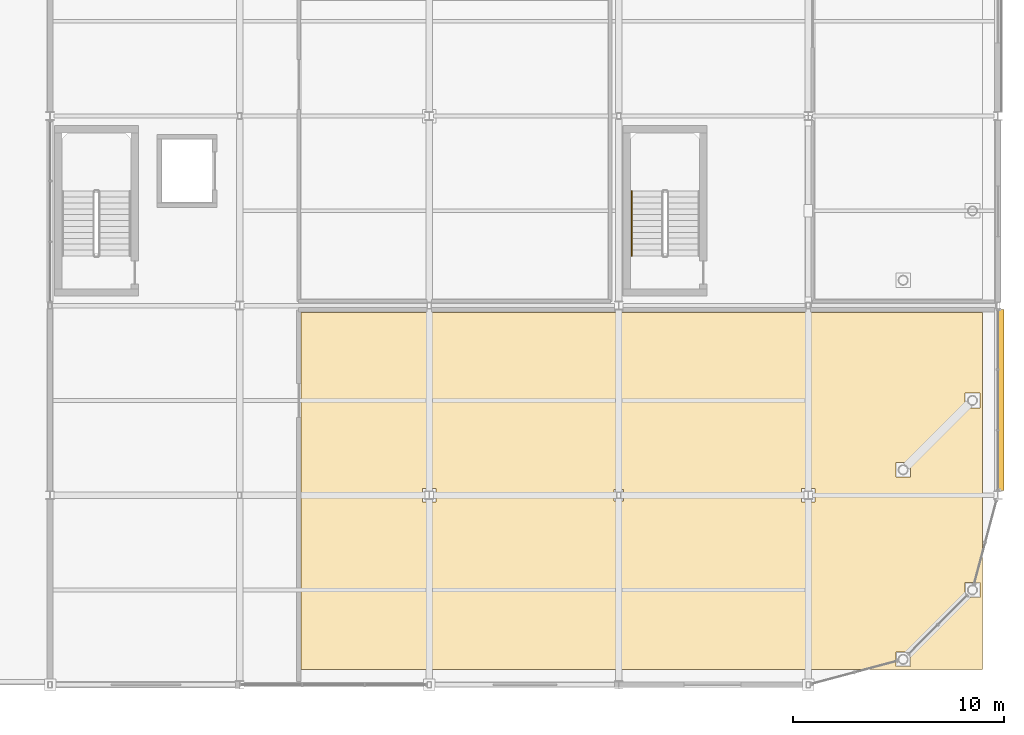
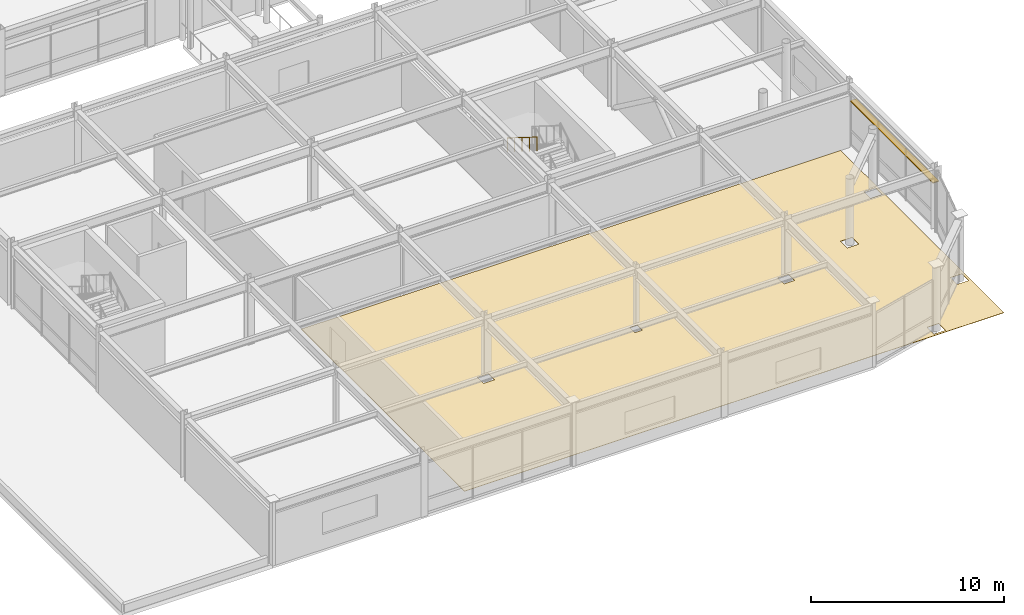
# One storey, part 100 of 105: 1 covering, 1 railing, 1 shading device.
"""IFC4 building model written with IfcOpenShell, lengths in metres."""

from ifc_helpers import new_model, si_unit, direction, frame, origin, origin_2d, place, context, subcontext, project, spatial, polyline, rectangle, circle, outline, extrude, material, layer, layer_set, material_profile, profile_set, type_object, element, save


model = new_model("IFC4")

# Units and contexts
model_context = context("Model", 3, precision=1e-05, world=origin(), true_north=direction((0.0, 1.0)))
body_context = subcontext(model_context, "Body", "Model", "MODEL_VIEW")
ifc_project = project(units=[si_unit("LENGTHUNIT", "METRE"), si_unit("AREAUNIT", "SQUARE_METRE"), si_unit("VOLUMEUNIT", "CUBIC_METRE"), si_unit("PLANEANGLEUNIT", "RADIAN"), si_unit("MASSUNIT", "GRAM", prefix="KILO")], contexts=[model_context])

# Site, building, storey
site_placement = place(None, origin())
site = spatial("IfcSite", under=ifc_project, at=site_placement, CompositionType="ELEMENT")
building_placement = place(site_placement, origin())
building = spatial("IfcBuilding", under=site, at=building_placement, Name="Suzunagisa Mobility Hub", CompositionType="ELEMENT")
storey_placement = place(building_placement, frame((0.0, 0.0, 5.10009765625)))
storey = spatial("IfcBuildingStorey", under=building, at=storey_placement, Name="L01", CompositionType="ELEMENT", Elevation=5.10009765625)

# Covering
ifc_material_1 = material(Name="Polished Aggregate Terrazzo Finish")
ifc_layer = layer(ifc_material_1, 0.02001953125)
ifc_layer_set = layer_set([ifc_layer], Name="Polished Aggregate Terrazzo Finish")
covering_type = type_object("IfcCoveringType", Name="Polished Terrazzo Heavy-Traffic Flooring FLR-01", PredefinedType="FLOORING", material=ifc_layer_set)
covering_placement = place(storey_placement, origin())
element("IfcCovering", 1, at=covering_placement, inside=storey, type_object=covering_type, Name="L01 South Prow Battery Module Quarantine Store Terrazzo Flooring", PredefinedType="FLOORING", context=body_context, shape_type="SweptSolid", body=[
    extrude(outline(polyline([(179.280029296875, 0.719970703125), (146.919921875, 0.719970703125), (146.919921875, 17.679931640625), (161.679931640625, 17.679931640625), (162.320068359375, 17.679931640625), (179.280029296875, 17.679931640625), (179.280029296875, 0.719970703125)]), holes=[polyline([(153.320068359375, 9.320068359375), (152.679931640625, 9.320068359375), (152.679931640625, 8.679931640625), (153.320068359375, 8.679931640625), (153.320068359375, 9.320068359375)]), polyline([(161.780029296875, 8.72998046875), (162.219970703125, 8.72998046875), (162.219970703125, 9.27001953125), (161.780029296875, 9.27001953125), (161.780029296875, 8.72998046875)]), polyline([(171.320068359375, 9.320068359375), (170.679931640625, 9.320068359375), (170.679931640625, 8.679931640625), (171.320068359375, 8.679931640625), (171.320068359375, 9.320068359375)]), polyline([(175.1513671875, 0.857177734375), (175.8486328125, 0.857177734375), (175.8486328125, 1.554443359375), (175.1513671875, 1.554443359375), (175.1513671875, 0.857177734375)]), polyline([(175.1513671875, 10.554443359375), (175.1513671875, 9.857177734375), (175.8486328125, 9.857177734375), (175.8486328125, 10.554443359375), (175.1513671875, 10.554443359375)]), polyline([(179.142822265625, 4.8486328125), (178.445556640625, 4.8486328125), (178.445556640625, 4.1513671875), (179.142822265625, 4.1513671875), (179.142822265625, 4.8486328125)]), polyline([(179.142822265625, 13.1513671875), (179.142822265625, 13.8486328125), (178.445556640625, 13.8486328125), (178.445556640625, 13.1513671875), (179.142822265625, 13.1513671875)])]), origin(), (0.0, 0.0, 1.0), 0.02001953125),
])

# Shading device
ifc_material_2 = material(Name="Fluoropolymer-Coated Extruded Aluminum 6063-T5", Category="aluminium")
ifc_material_profile = material_profile(ifc_material_2, rectangle(XDim=0.360107421875, YDim=0.050048828125, at=origin_2d()), Name="FIN-360x50")
ifc_profile_set = profile_set([ifc_material_profile], Name="Fluoropolymer-Coated Extruded Aluminum 6063-T5")
shading_device_type = type_object("IfcShadingDeviceType", Name="Streamline Aluminum Sunshade SF-04 FIN-360x50", PredefinedType="USERDEFINED", material=ifc_profile_set)
shading_device_placement = place(storey_placement, frame((180.110107421875, 9.22998046875, 2.83984375), z_axis=(0.0, 1.0, 0.0), x_axis=(-1.0, 0.0, 0.0)))
element("IfcShadingDevice", 2, at=shading_device_placement, inside=storey, type_object=shading_device_type, Name="L01 Streamline Speed-Rail Sunshade Fin SF-32", ObjectType="SUNSHADE FIN", PredefinedType="USERDEFINED", context=body_context, shape_type="SweptSolid", body=[
    extrude(rectangle(XDim=0.360107421875, YDim=0.050048828125, at=origin_2d()), origin(), (0.0, 0.0, 1.0), 8.590087890625),
])

# Railing
ifc_material_3 = material(Name="Stainless Steel SUS304", Category="metal")
railing_type = type_object("IfcRailingType", Name="Tubular Stainless Stair Handrail IHR-01", PredefinedType="HANDRAIL", material=ifc_material_3)
railing_placement = place(storey_placement, frame((162.610107421875, 23.43994140625, 2.27490234375)))
element("IfcRailing", 3, at=railing_placement, inside=storey, type_object=railing_type, Name="L01 ST-10 stair handrail 2", PredefinedType="HANDRAIL", context=body_context, shape_type="SweptSolid", body=[
    extrude(circle(Radius=0.02392578125, at=origin_2d()), frame((0.0, 0.0, 0.8759765625), z_axis=(0.0, -0.847979421464, 0.530029150871), x_axis=(1.0, 0.0, 0.0)), (0.0, 0.0, 1.0), 3.632080078125),
    extrude(circle(Radius=0.02099609375, at=origin_2d()), origin(), (0.0, 0.0, 1.0), 0.851806640625),
    extrude(circle(Radius=0.02099609375, at=origin_2d()), frame((0.0, -0.77001953125, 0.481201171875)), (0.0, 0.0, 1.0), 0.851806640625),
    extrude(circle(Radius=0.02099609375, at=origin_2d()), frame((0.0, -1.5400390625, 0.96240234375)), (0.0, 0.0, 1.0), 0.851806640625),
    extrude(circle(Radius=0.02099609375, at=origin_2d()), frame((0.0, -2.309814453125, 1.44384765625)), (0.0, 0.0, 1.0), 0.851806640625),
    extrude(circle(Radius=0.02099609375, at=origin_2d()), frame((0.0, -3.079833984375, 1.925048828125)), (0.0, 0.0, 1.0), 0.851806640625),
])

save(model, "model.ifc")
